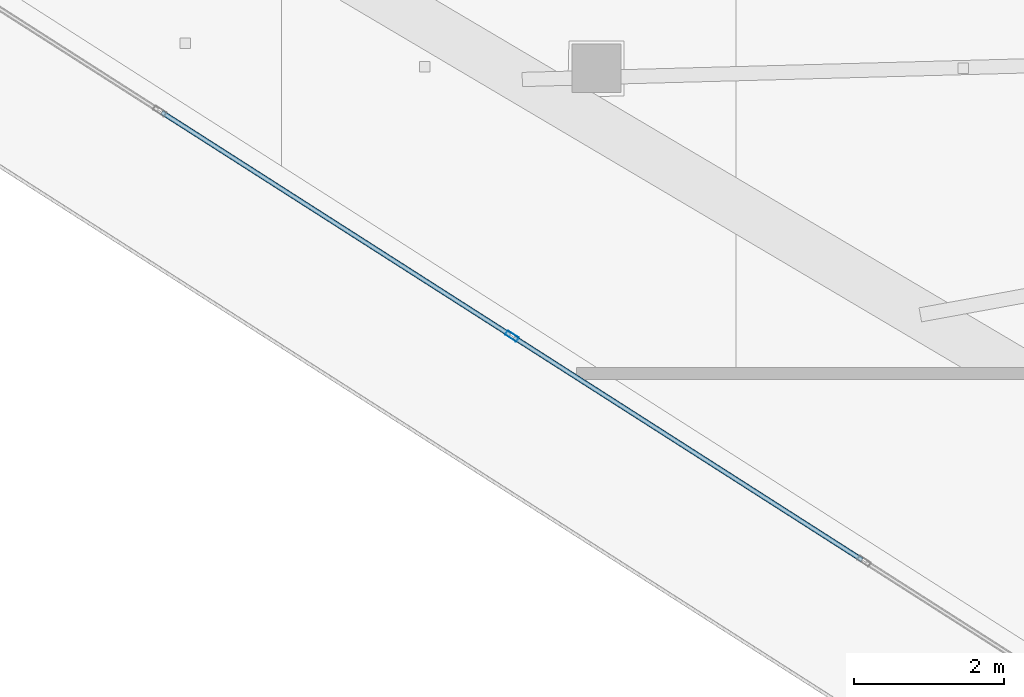
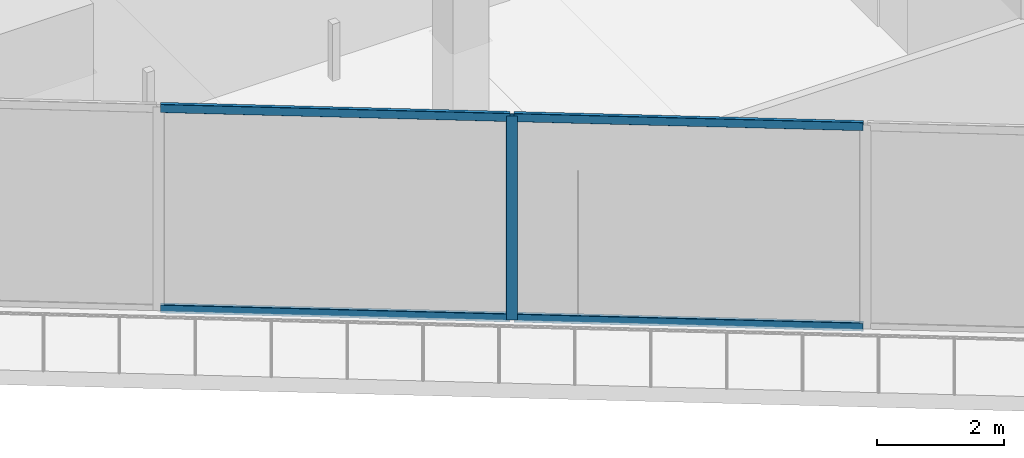
# One storey, part 3 of 46: 5 members, 1 element without a shape of its own.
"""IFC4 building model written with IfcOpenShell, lengths in metres."""

import ifcopenshell
import ifcopenshell.guid

model = None  # the IFC model being written
_history = None  # IfcOwnerHistory: only IFC2X3 demands one
_inside = {}  # id of a spatial element -> (the spatial element, [elements in it])
_under = {}  # id of a project, library or spatial element -> (it, [spatial elements below it])
_declared = {}  # id of a project -> (the project, [libraries it declares])
_typed = {}  # id of a type object -> (the type object, [elements of that type])
_made_of = {}  # id of a material, layer set ... -> (it, [elements and type objects made of it])


def new_model(schema):
    """Start an empty IFC model of exactly this schema.

    Asked for "IFC4X3", IfcOpenShell would pick the latest addendum, in which some entities
    have other attributes; the version numbers below select the first issue.
    IFC2X3 requires an IfcOwnerHistory on every rooted entity: one is made here for all.
    """
    global model, _history
    if schema == "IFC4X3":
        model = ifcopenshell.file(schema_version=(4, 3, 0, 0))
    else:
        model = ifcopenshell.file(schema=schema)
    _inside.clear()
    _under.clear()
    _declared.clear()
    _typed.clear()
    _made_of.clear()
    _history = None
    if model.schema == "IFC2X3":
        org = make("IfcOrganization", Name="unknown")
        user = make(
            "IfcPersonAndOrganization",
            ThePerson=make("IfcPerson", FamilyName="unknown"),
            TheOrganization=org,
        )
        app = make(
            "IfcApplication",
            ApplicationDeveloper=org,
            Version="unknown",
            ApplicationFullName="unknown",
            ApplicationIdentifier="unknown",
        )
        _history = make(
            "IfcOwnerHistory",
            OwningUser=user,
            OwningApplication=app,
            ChangeAction="ADDED",
            CreationDate=0,
        )
    return model


def make(cls, **values):
    """One entity of the class cls with the attributes given. An attribute that is None is left unset."""
    return model.create_entity(
        cls, **{name: value for name, value in values.items() if value is not None}
    )


def rooted(cls, **values):
    """An entity with a GlobalId (a new one), such as an element, a storey or a relation."""
    return make(cls, GlobalId=ifcopenshell.guid.new(), OwnerHistory=_history, **values)


def si_unit(unit_type, name, prefix=None):
    """IfcSIUnit, for example si_unit("LENGTHUNIT", "METRE", prefix="MILLI")."""
    return make("IfcSIUnit", UnitType=unit_type, Prefix=prefix, Name=name)


def assignment(units):
    """IfcUnitAssignment: the units of a project."""
    return None if units is None else make("IfcUnitAssignment", Units=units)


def point(xyz):
    """IfcCartesianPoint."""
    return None if xyz is None else make("IfcCartesianPoint", Coordinates=xyz)


def direction(xyz):
    """IfcDirection."""
    return None if xyz is None else make("IfcDirection", DirectionRatios=xyz)


def frame(location, z_axis=None, x_axis=None):
    """IfcAxis2Placement3D, a coordinate frame: its origin and axes. An axis left out is left unset."""
    return make(
        "IfcAxis2Placement3D",
        Location=point(location),
        Axis=direction(z_axis),
        RefDirection=direction(x_axis),
    )


def frame_2d(location, x_axis=None):
    """IfcAxis2Placement2D, a coordinate frame in the plane: its origin and x axis."""
    return make(
        "IfcAxis2Placement2D", Location=point(location), RefDirection=direction(x_axis)
    )


def origin():
    """The frame at (0, 0, 0) with its axes left unset."""
    return frame((0.0, 0.0, 0.0))


def origin_2d():
    """The frame at (0, 0) in the plane with its x axis left unset."""
    return frame_2d((0.0, 0.0))


def place(relative_to, where):
    """IfcLocalPlacement: puts the frame where relative to a parent placement (None: the world)."""
    return make(
        "IfcLocalPlacement", PlacementRelTo=relative_to, RelativePlacement=where
    )


def context(
    kind, dimensions, precision=None, world=None, true_north=None, identifier=None
):
    """IfcGeometricRepresentationContext, for example the 3D "Model" context."""
    return make(
        "IfcGeometricRepresentationContext",
        ContextIdentifier=identifier,
        ContextType=kind,
        CoordinateSpaceDimension=dimensions,
        Precision=precision,
        WorldCoordinateSystem=world,
        TrueNorth=true_north,
    )


def subcontext(parent, identifier, kind, view, scale=None):
    """IfcGeometricRepresentationSubContext, for example "Body" below "Model"."""
    return make(
        "IfcGeometricRepresentationSubContext",
        ContextIdentifier=identifier,
        ContextType=kind,
        ParentContext=parent,
        TargetScale=scale,
        TargetView=view,
    )


def project(units=None, contexts=None):
    """IfcProject with its units and contexts."""
    return rooted(
        "IfcProject",
        Name="project",
        RepresentationContexts=contexts,
        UnitsInContext=assignment(units),
    )


def spatial(cls, under=None, at=None, **own):
    """A site, building, storey or space (cls), placed at a placement, below another one or the project."""
    s = rooted(cls, ObjectPlacement=at, **own)
    if under is not None:
        _under.setdefault(under.id(), (under, []))[1].append(s)
    return s


def profile(cls, at=None, kind="AREA", **sizes):
    """A parametric profile (cls). Its sizes go by their IFC names, for example OverallWidth=200.0."""
    return make(cls, ProfileType=kind, Position=at, **sizes)


def hollow_rectangle(**sizes):
    """IfcRectangleHollowProfileDef."""
    return profile("IfcRectangleHollowProfileDef", **sizes)


def extrude(swept, where, along, depth):
    """IfcExtrudedAreaSolid: the profile swept, set in the frame where, extruded along a direction by depth."""
    return make(
        "IfcExtrudedAreaSolid",
        SweptArea=swept,
        Position=where,
        ExtrudedDirection=direction(along),
        Depth=depth,
    )


def shape(context_of_items, identifier, shape_type, items):
    """IfcShapeRepresentation: the items that make up one representation, for example the "Body"."""
    return make(
        "IfcShapeRepresentation",
        ContextOfItems=context_of_items,
        RepresentationIdentifier=identifier,
        RepresentationType=shape_type,
        Items=items,
    )


def material(Name=None, Category=None):
    """IfcMaterial."""
    return make("IfcMaterial", Name=Name, Category=Category)


def layer(
    of_material, thickness, ventilated=None, Name=None, Category=None, Priority=None
):
    """IfcMaterialLayer: one layer of a wall or slab, of a material (None: an air gap)."""
    return make(
        "IfcMaterialLayer",
        Material=of_material,
        LayerThickness=thickness,
        IsVentilated=ventilated,
        Name=Name,
        Category=Category,
        Priority=Priority,
    )


def layer_set(layers, Name=None):
    """IfcMaterialLayerSet."""
    return make("IfcMaterialLayerSet", MaterialLayers=layers, LayerSetName=Name)


def material_profile(
    of_material, cross_section, Name=None, Category=None, Priority=None
):
    """IfcMaterialProfile: a cross section and its material."""
    return make(
        "IfcMaterialProfile",
        Name=Name,
        Material=of_material,
        Profile=cross_section,
        Priority=Priority,
        Category=Category,
    )


def profile_set(profiles, Name=None, composite=None):
    """IfcMaterialProfileSet."""
    return make(
        "IfcMaterialProfileSet",
        Name=Name,
        MaterialProfiles=profiles,
        CompositeProfile=composite,
    )


def made_of(thing, what):
    """Note that an element or type object is made of a material, layer set ...; save() writes the relation."""
    if what is not None:
        _made_of.setdefault(what.id(), (what, []))[1].append(thing)
    return thing


def type_object(cls, material=None, **own):
    """A type object (cls), such as IfcWallType, which elements share."""
    return made_of(rooted(cls, **own), material)


def element(
    cls,
    number,
    at=None,
    inside=None,
    cuts=None,
    type_object=None,
    material=None,
    context=None,
    identifier="Body",
    shape_type=None,
    held_by="IfcProductDefinitionShape",
    body=None,
    shapes=None,
    **own,
):
    """One element of the class cls, such as IfcWall. Its Tag is "e" and its number.

    at: its placement. inside: the storey or other place that contains it. cuts: it is an
    opening in that element (IfcRelVoidsElement). A single representation is given by context,
    identifier, shape_type and body (its items); several are given by shapes. held_by: the class
    of the entity that holds the representations. save() writes the other relations.
    """
    e = rooted(cls, Tag="e%d" % number, ObjectPlacement=at, **own)
    if body is not None:
        shapes = [shape(context, identifier, shape_type, body)]
    if shapes is not None:
        e.Representation = make(held_by, Representations=shapes)
    if inside is not None:
        _inside.setdefault(inside.id(), (inside, []))[1].append(e)
    if cuts is not None:
        rooted(
            "IfcRelVoidsElement", RelatingBuildingElement=cuts, RelatedOpeningElement=e
        )
    if type_object is not None:
        _typed.setdefault(type_object.id(), (type_object, []))[1].append(e)
    return made_of(e, material)


def aggregate(whole, parts):
    """IfcRelAggregates: a whole, such as a stair, and the parts it consists of."""
    return rooted("IfcRelAggregates", RelatingObject=whole, RelatedObjects=parts)


def save(model, path):
    """Write the relations noted so far, then the file.

    IfcRelAggregates (storeys below a building ...), IfcRelContainedInSpatialStructure (elements
    in a storey), IfcRelDefinesByType, IfcRelAssociatesMaterial and IfcRelDeclares: one each for
    every whole, place, type object, material and project.
    """
    for whole, parts in _under.values():
        aggregate(whole, parts)
    for where, things in _inside.values():
        rooted(
            "IfcRelContainedInSpatialStructure",
            RelatedElements=things,
            RelatingStructure=where,
        )
    for kind, things in _typed.values():
        rooted("IfcRelDefinesByType", RelatedObjects=things, RelatingType=kind)
    for what, things in _made_of.values():
        rooted("IfcRelAssociatesMaterial", RelatedObjects=things, RelatingMaterial=what)
    for by, libraries in _declared.values():
        rooted("IfcRelDeclares", RelatingContext=by, RelatedDefinitions=libraries)
    model.write(path)


model = new_model("IFC4")

# Units and contexts
model_context = context("Model", 3, precision=1e-05, world=origin(), true_north=direction((0.0, 1.0)))
body_context = subcontext(model_context, "Body", "Model", "MODEL_VIEW")
ifc_project = project(units=[si_unit("LENGTHUNIT", "METRE"), si_unit("AREAUNIT", "SQUARE_METRE"), si_unit("VOLUMEUNIT", "CUBIC_METRE"), si_unit("PLANEANGLEUNIT", "RADIAN"), si_unit("MASSUNIT", "GRAM", prefix="KILO")], contexts=[model_context])

# Site, building, storey
site_placement = place(None, origin())
site = spatial("IfcSite", under=ifc_project, at=site_placement, CompositionType="ELEMENT")
building_placement = place(site_placement, origin())
building = spatial("IfcBuilding", under=site, at=building_placement, Name="Qorvath Tower", CompositionType="ELEMENT")
storey_placement = place(building_placement, frame((0.0, 0.0, 87.0)))
storey = spatial("IfcBuildingStorey", under=building, at=storey_placement, Name="L19", CompositionType="ELEMENT", Elevation=87.0)

# Curtain wall, members
ifc_material_1 = material(Name="Anodised aluminium and triple low-E glass", Category="aluminium")
ifc_layer = layer(ifc_material_1, 0.179931640625)
ifc_layer_set = layer_set([ifc_layer], Name="CW-SYS-2")
curtain_wall_type = type_object("IfcCurtainWallType", Name="CW-SYS-2", PredefinedType="NOTDEFINED", material=ifc_layer_set)
curtain_wall_placement = place(storey_placement, origin())
curtain_wall = element("IfcCurtainWall", 1, at=curtain_wall_placement, inside=storey, type_object=curtain_wall_type, Name="Curtain Wall CW-2 CW-T-L19-2.1", PredefinedType="NOTDEFINED")
ifc_material_2 = material(Name="Anodised aluminium 6063-T6", Category="aluminium")
ifc_material_profile_1 = material_profile(ifc_material_2, hollow_rectangle(XDim=0.06494140625, YDim=0.179931640625, WallThickness=0.00341796875, InnerFilletRadius=0.00341796875, OuterFilletRadius=0.007080078125, at=origin_2d()), Name="CWM 180x65")
ifc_profile_set_1 = profile_set([ifc_material_profile_1], Name="Anodised aluminium 6063-T6")
member_type_1 = type_object("IfcMemberType", Name="CWM-180", PredefinedType="MULLION", material=ifc_profile_set_1)
member_1_placement = place(storey_placement, frame((-49.705322265625, -9.994873046875, 0.0), z_axis=(0.0, 0.0, 1.0), x_axis=(0.538527563, 0.842607894509, 0.0)))
member_1 = element("IfcMember", 2, at=member_1_placement, type_object=member_type_1, Name="CW-2 mullion 3", PredefinedType="MULLION", context=body_context, shape_type="SweptSolid", body=[
    extrude(hollow_rectangle(XDim=0.06494140625, YDim=0.179931640625, WallThickness=0.00341796875, InnerFilletRadius=0.00341796875, OuterFilletRadius=0.007080078125, at=origin_2d()), origin(), (0.0, 0.0, 1.0), 3.919921875),
])
ifc_material_3 = material(Name="Anodised aluminium 6063-T6", Category="aluminium")
ifc_material_profile_2 = material_profile(ifc_material_3, hollow_rectangle(XDim=0.06494140625, YDim=0.159912109375, WallThickness=0.00341796875, InnerFilletRadius=0.00341796875, OuterFilletRadius=0.007080078125, at=origin_2d()), Name="CWT 160x65")
ifc_profile_set_2 = profile_set([ifc_material_profile_2], Name="Anodised aluminium 6063-T6")
member_type_2 = type_object("IfcMemberType", Name="CWT-160", PredefinedType="USERDEFINED", material=ifc_profile_set_2)
member_2_placement = place(storey_placement, frame((-54.37255859375, -7.011962890625, 0.032470703125), z_axis=(0.842617465223, -0.538512587877, 0.0), x_axis=(0.538512587877, 0.842617465223, 0.0)))
member_2 = element("IfcMember", 3, at=member_2_placement, type_object=member_type_2, Name="CW-2 transom 2.1", ObjectType="TRANSOM", PredefinedType="USERDEFINED", context=body_context, shape_type="SweptSolid", body=[
    extrude(hollow_rectangle(XDim=0.06494140625, YDim=0.159912109375, WallThickness=0.00341796875, InnerFilletRadius=0.00341796875, OuterFilletRadius=0.007080078125, at=origin_2d()), origin(), (0.0, 0.0, 1.0), 5.506591796875),
])
member_3_placement = place(storey_placement, frame((-54.37255859375, -7.011962890625, 3.887451171875), z_axis=(0.842617465223, -0.538512587877, 0.0), x_axis=(0.538512587877, 0.842617465223, 0.0)))
member_3 = element("IfcMember", 4, at=member_3_placement, type_object=member_type_2, Name="CW-2 transom 2.2", ObjectType="TRANSOM", PredefinedType="USERDEFINED", context=body_context, shape_type="SweptSolid", body=[
    extrude(hollow_rectangle(XDim=0.06494140625, YDim=0.159912109375, WallThickness=0.00341796875, InnerFilletRadius=0.00341796875, OuterFilletRadius=0.007080078125, at=origin_2d()), origin(), (0.0, 0.0, 1.0), 5.506591796875),
])
member_4_placement = place(storey_placement, frame((-49.677978515625, -10.012451171875, 0.032470703125), z_axis=(0.842617465223, -0.538512587877, 0.0), x_axis=(0.538512587877, 0.842617465223, 0.0)))
member_4 = element("IfcMember", 5, at=member_4_placement, type_object=member_type_2, Name="CW-2 transom 3.1", ObjectType="TRANSOM", PredefinedType="USERDEFINED", context=body_context, shape_type="SweptSolid", body=[
    extrude(hollow_rectangle(XDim=0.06494140625, YDim=0.159912109375, WallThickness=0.00341796875, InnerFilletRadius=0.00341796875, OuterFilletRadius=0.007080078125, at=origin_2d()), origin(), (0.0, 0.0, 1.0), 5.506591796875),
])
member_5_placement = place(storey_placement, frame((-49.677978515625, -10.012451171875, 3.887451171875), z_axis=(0.842617465223, -0.538512587877, 0.0), x_axis=(0.538512587877, 0.842617465223, 0.0)))
member_5 = element("IfcMember", 6, at=member_5_placement, type_object=member_type_2, Name="CW-2 transom 3.2", ObjectType="TRANSOM", PredefinedType="USERDEFINED", context=body_context, shape_type="SweptSolid", body=[
    extrude(hollow_rectangle(XDim=0.06494140625, YDim=0.159912109375, WallThickness=0.00341796875, InnerFilletRadius=0.00341796875, OuterFilletRadius=0.007080078125, at=origin_2d()), origin(), (0.0, 0.0, 1.0), 5.506591796875),
])
aggregate(curtain_wall, [member_1, member_2, member_3, member_4, member_5])

save(model, "model.ifc")
